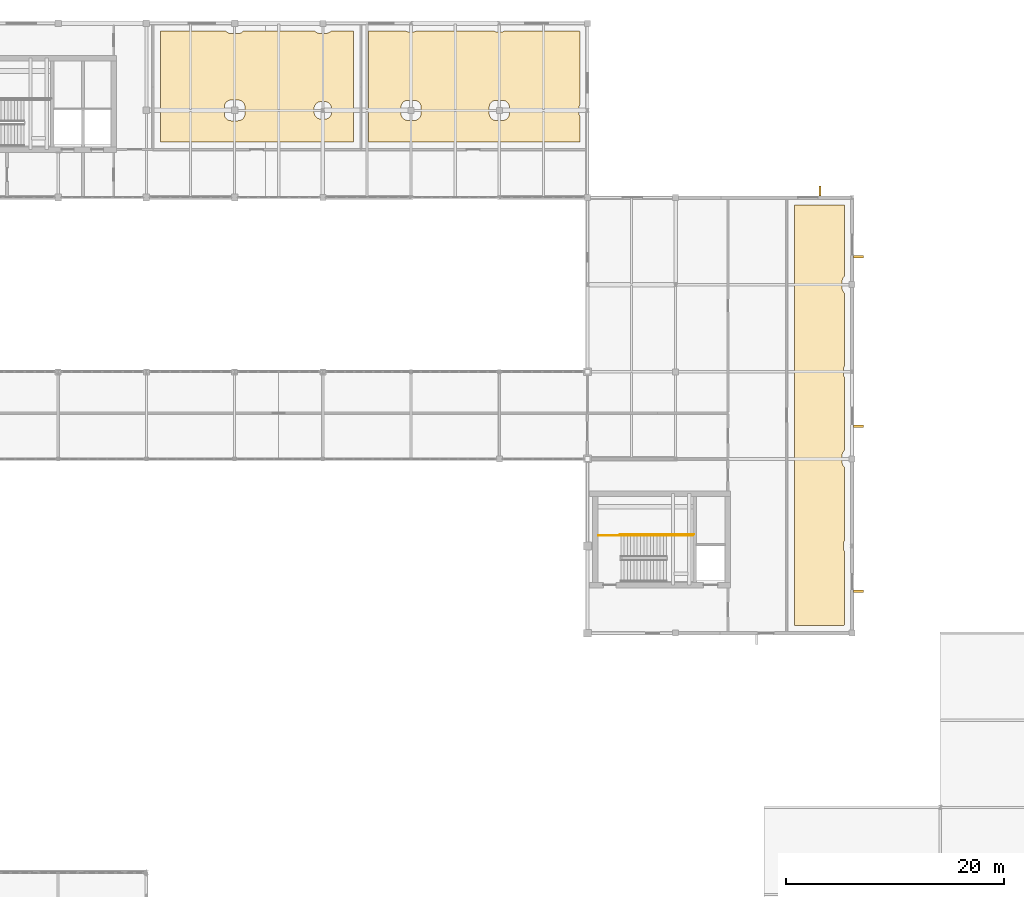
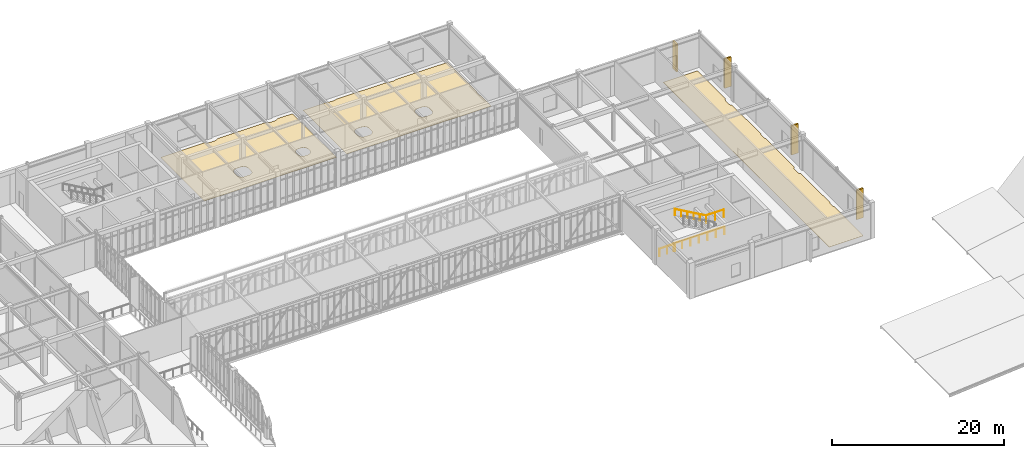
# One storey, part 107 of 107: 4 railings, 4 shading devices, 3 coverings.
"""IFC4 building model written with IfcOpenShell, lengths in metres."""

from ifc_helpers import new_model, si_unit, direction, frame, origin, origin_2d, place, context, subcontext, project, spatial, polyline, rectangle, circle, outline, extrude, material, layer, layer_set, material_profile, profile_set, type_object, element, save


model = new_model("IFC4")

# Units and contexts
model_context = context("Model", 3, precision=1e-05, world=origin(), true_north=direction((0.0, 1.0)))
body_context = subcontext(model_context, "Body", "Model", "MODEL_VIEW")
ifc_project = project(units=[si_unit("LENGTHUNIT", "METRE"), si_unit("AREAUNIT", "SQUARE_METRE"), si_unit("VOLUMEUNIT", "CUBIC_METRE"), si_unit("PLANEANGLEUNIT", "RADIAN"), si_unit("MASSUNIT", "GRAM", prefix="KILO")], contexts=[model_context])

# Site, building, storey
site_placement = place(None, origin())
site = spatial("IfcSite", under=ifc_project, at=site_placement, CompositionType="ELEMENT")
building_placement = place(site_placement, origin())
building = spatial("IfcBuilding", under=site, at=building_placement, Name="Tarnveldt Square Police Headquarters", CompositionType="ELEMENT")
storey_placement = place(building_placement, frame((0.0, 0.0, 14.699951171875)))
storey = spatial("IfcBuildingStorey", under=building, at=storey_placement, Name="L03", CompositionType="ELEMENT", Elevation=14.699951171875)

# Coverings
ifc_material_1 = material(Name="Polished cementitious terrazzo flooring", Category="concrete")
ifc_layer = layer(ifc_material_1, 0.02490234375)
ifc_layer_set = layer_set([ifc_layer], Name="Polished cementitious terrazzo flooring")
covering_type = type_object("IfcCoveringType", Name="COV-FLR-25", PredefinedType="FLOORING", material=ifc_layer_set)
covering_1_placement = place(storey_placement, origin())
element("IfcCovering", 1, at=covering_1_placement, inside=storey, type_object=covering_type, Name="Cybercrime Digital Forensics Laboratory Terrazzo Finish Flooring", PredefinedType="FLOORING", context=body_context, shape_type="SweptSolid", body=[
    extrude(outline(polyline([(128.830078125, 56.699951171875), (124.300048828125, 56.699951171875), (124.300048828125, 95.300048828125), (128.89990234375, 95.300048828125), (128.89990234375, 88.769775390625), (128.86328125, 88.736572265625), (128.820556640625, 88.689453125), (128.782470703125, 88.63818359375), (128.749755859375, 88.58349609375), (128.722412109375, 88.525634765625), (128.700927734375, 88.465576171875), (128.685546875, 88.40380859375), (128.676025390625, 88.3408203125), (128.673095703125, 88.277099609375), (128.673095703125, 87.722900390625), (128.676025390625, 87.6591796875), (128.685546875, 87.59619140625), (128.700927734375, 87.534423828125), (128.722412109375, 87.474365234375), (128.749755859375, 87.41650390625), (128.782470703125, 87.36181640625), (128.820556640625, 87.310546875), (128.86328125, 87.263427734375), (128.89990234375, 87.230224609375), (128.89990234375, 80.5087890625), (128.872314453125, 80.46240234375), (128.844970703125, 80.40478515625), (128.823486328125, 80.3447265625), (128.80810546875, 80.28271484375), (128.798583984375, 80.2197265625), (128.79541015625, 80.156005859375), (128.79541015625, 79.843994140625), (128.798583984375, 79.7802734375), (128.80810546875, 79.71728515625), (128.823486328125, 79.6552734375), (128.844970703125, 79.59521484375), (128.872314453125, 79.53759765625), (128.89990234375, 79.4912109375), (128.89990234375, 72.769775390625), (128.86328125, 72.736572265625), (128.820556640625, 72.689453125), (128.782470703125, 72.63818359375), (128.749755859375, 72.58349609375), (128.722412109375, 72.525634765625), (128.700927734375, 72.465576171875), (128.685546875, 72.40380859375), (128.676025390625, 72.3408203125), (128.673095703125, 72.277099609375), (128.673095703125, 71.722900390625), (128.676025390625, 71.6591796875), (128.685546875, 71.59619140625), (128.700927734375, 71.534423828125), (128.722412109375, 71.474365234375), (128.749755859375, 71.41650390625), (128.782470703125, 71.36181640625), (128.820556640625, 71.310546875), (128.86328125, 71.263427734375), (128.89990234375, 71.230224609375), (128.89990234375, 64.5087890625), (128.872314453125, 64.46240234375), (128.844970703125, 64.40478515625), (128.823486328125, 64.3447265625), (128.80810546875, 64.28271484375), (128.798583984375, 64.2197265625), (128.79541015625, 64.156005859375), (128.79541015625, 63.843994140625), (128.798583984375, 63.7802734375), (128.80810546875, 63.71728515625), (128.823486328125, 63.6552734375), (128.844970703125, 63.59521484375), (128.872314453125, 63.53759765625), (128.89990234375, 63.4912109375), (128.89990234375, 56.769775390625), (128.86328125, 56.736572265625), (128.830078125, 56.699951171875)])), origin(), (0.0, 0.0, 1.0), 0.025146484375),
])
covering_2_placement = place(storey_placement, origin())
element("IfcCovering", 2, at=covering_2_placement, inside=storey, type_object=covering_type, Name="Forensic DNA Extraction Cleanroom Laboratory Terrazzo Finish Flooring", PredefinedType="FLOORING", context=body_context, shape_type="SweptSolid", body=[
    extrude(outline(polyline([(72.0849609375, 111.300048828125), (72.095458984375, 111.28564453125), (72.138427734375, 111.23828125), (72.185546875, 111.195556640625), (72.23681640625, 111.157470703125), (72.29150390625, 111.124755859375), (72.349365234375, 111.097412109375), (72.409423828125, 111.075927734375), (72.47119140625, 111.060546875), (72.5341796875, 111.051025390625), (72.597900390625, 111.048095703125), (73.201904296875, 111.048095703125), (73.265625, 111.051025390625), (73.328857421875, 111.060546875), (73.390625, 111.075927734375), (73.45068359375, 111.097412109375), (73.50830078125, 111.124755859375), (73.563232421875, 111.157470703125), (73.6142578125, 111.195556640625), (73.66162109375, 111.23828125), (73.704345703125, 111.28564453125), (73.715087890625, 111.300048828125), (80.230224609375, 111.300048828125), (80.263427734375, 111.263427734375), (80.310546875, 111.220458984375), (80.36181640625, 111.1826171875), (80.41650390625, 111.149658203125), (80.474365234375, 111.12255859375), (80.534423828125, 111.10107421875), (80.59619140625, 111.08544921875), (80.6591796875, 111.076171875), (80.722900390625, 111.072998046875), (81.277099609375, 111.072998046875), (81.3408203125, 111.076171875), (81.40380859375, 111.08544921875), (81.465576171875, 111.10107421875), (81.525634765625, 111.12255859375), (81.58349609375, 111.149658203125), (81.63818359375, 111.1826171875), (81.689453125, 111.220458984375), (81.736572265625, 111.263427734375), (81.769775390625, 111.300048828125), (83.800048828125, 111.300048828125), (83.800048828125, 101.10009765625), (66.10009765625, 101.10009765625), (66.10009765625, 111.300048828125), (72.0849609375, 111.300048828125)]), holes=[polyline([(80.845458984375, 104.805908203125), (80.78173828125, 104.802978515625), (80.71875, 104.79345703125), (80.65673828125, 104.778076171875), (80.5966796875, 104.756591796875), (80.5390625, 104.729248046875), (80.484375, 104.696533203125), (80.43310546875, 104.658447265625), (80.385986328125, 104.61572265625), (80.343017578125, 104.568359375), (80.304931640625, 104.51708984375), (80.272216796875, 104.46240234375), (80.244873046875, 104.40478515625), (80.223388671875, 104.3447265625), (80.2080078125, 104.28271484375), (80.19873046875, 104.2197265625), (80.195556640625, 104.156005859375), (80.195556640625, 103.843994140625), (80.19873046875, 103.7802734375), (80.2080078125, 103.71728515625), (80.223388671875, 103.6552734375), (80.244873046875, 103.59521484375), (80.272216796875, 103.53759765625), (80.304931640625, 103.48291015625), (80.343017578125, 103.431640625), (80.385986328125, 103.38427734375), (80.43310546875, 103.341552734375), (80.484375, 103.303466796875), (80.5390625, 103.270751953125), (80.5966796875, 103.243408203125), (80.65673828125, 103.221923828125), (80.71875, 103.20654296875), (80.78173828125, 103.197021484375), (80.845458984375, 103.194091796875), (81.154541015625, 103.194091796875), (81.21826171875, 103.197021484375), (81.28125, 103.20654296875), (81.34326171875, 103.221923828125), (81.4033203125, 103.243408203125), (81.4609375, 103.270751953125), (81.515625, 103.303466796875), (81.56689453125, 103.341552734375), (81.614013671875, 103.38427734375), (81.656982421875, 103.431640625), (81.695068359375, 103.48291015625), (81.727783203125, 103.53759765625), (81.755126953125, 103.59521484375), (81.776611328125, 103.6552734375), (81.7919921875, 103.71728515625), (81.80126953125, 103.7802734375), (81.804443359375, 103.843994140625), (81.804443359375, 104.156005859375), (81.80126953125, 104.2197265625), (81.7919921875, 104.28271484375), (81.776611328125, 104.3447265625), (81.755126953125, 104.40478515625), (81.727783203125, 104.46240234375), (81.695068359375, 104.51708984375), (81.656982421875, 104.568359375), (81.614013671875, 104.61572265625), (81.56689453125, 104.658447265625), (81.515625, 104.696533203125), (81.4609375, 104.729248046875), (81.4033203125, 104.756591796875), (81.34326171875, 104.778076171875), (81.28125, 104.79345703125), (81.21826171875, 104.802978515625), (81.154541015625, 104.805908203125), (80.845458984375, 104.805908203125)]), polyline([(72.597900390625, 104.951904296875), (72.5341796875, 104.948974609375), (72.47119140625, 104.939453125), (72.409423828125, 104.924072265625), (72.349365234375, 104.902587890625), (72.29150390625, 104.875244140625), (72.23681640625, 104.842529296875), (72.185546875, 104.804443359375), (72.138427734375, 104.76171875), (72.095458984375, 104.71435546875), (72.0576171875, 104.6630859375), (72.024658203125, 104.6083984375), (71.99755859375, 104.55078125), (71.97607421875, 104.49072265625), (71.96044921875, 104.4287109375), (71.951171875, 104.36572265625), (71.947998046875, 104.302001953125), (71.947998046875, 103.697998046875), (71.951171875, 103.63427734375), (71.96044921875, 103.5712890625), (71.97607421875, 103.50927734375), (71.99755859375, 103.44921875), (72.024658203125, 103.3916015625), (72.0576171875, 103.3369140625), (72.095458984375, 103.28564453125), (72.138427734375, 103.23828125), (72.185546875, 103.195556640625), (72.23681640625, 103.157470703125), (72.29150390625, 103.124755859375), (72.349365234375, 103.097412109375), (72.409423828125, 103.075927734375), (72.47119140625, 103.060546875), (72.5341796875, 103.051025390625), (72.597900390625, 103.048095703125), (73.201904296875, 103.048095703125), (73.265625, 103.051025390625), (73.328857421875, 103.060546875), (73.390625, 103.075927734375), (73.45068359375, 103.097412109375), (73.50830078125, 103.124755859375), (73.563232421875, 103.157470703125), (73.6142578125, 103.195556640625), (73.66162109375, 103.23828125), (73.704345703125, 103.28564453125), (73.742431640625, 103.3369140625), (73.775146484375, 103.3916015625), (73.802490234375, 103.44921875), (73.823974609375, 103.50927734375), (73.839599609375, 103.5712890625), (73.848876953125, 103.63427734375), (73.85205078125, 103.697998046875), (73.85205078125, 104.302001953125), (73.848876953125, 104.36572265625), (73.839599609375, 104.4287109375), (73.823974609375, 104.49072265625), (73.802490234375, 104.55078125), (73.775146484375, 104.6083984375), (73.742431640625, 104.6630859375), (73.704345703125, 104.71435546875), (73.66162109375, 104.76171875), (73.6142578125, 104.804443359375), (73.563232421875, 104.842529296875), (73.50830078125, 104.875244140625), (73.45068359375, 104.902587890625), (73.390625, 104.924072265625), (73.328857421875, 104.939453125), (73.265625, 104.948974609375), (73.201904296875, 104.951904296875), (72.597900390625, 104.951904296875)])]), origin(), (0.0, 0.0, 1.0), 0.025146484375),
])
covering_3_placement = place(storey_placement, origin())
element("IfcCovering", 3, at=covering_3_placement, inside=storey, type_object=covering_type, Name="PCR Amplification Serology Laboratory Terrazzo Finish Flooring", PredefinedType="FLOORING", context=body_context, shape_type="SweptSolid", body=[
    extrude(outline(polyline([(88.59033203125, 111.300048828125), (88.63916015625, 111.270751953125), (88.69677734375, 111.243408203125), (88.7568359375, 111.221923828125), (88.818603515625, 111.20654296875), (88.8818359375, 111.197021484375), (88.945556640625, 111.194091796875), (89.25439453125, 111.194091796875), (89.318115234375, 111.197021484375), (89.38134765625, 111.20654296875), (89.443115234375, 111.221923828125), (89.503173828125, 111.243408203125), (89.560791015625, 111.270751953125), (89.609619140625, 111.300048828125), (96.690185546875, 111.300048828125), (96.739013671875, 111.270751953125), (96.796875, 111.243408203125), (96.85693359375, 111.221923828125), (96.918701171875, 111.20654296875), (96.981689453125, 111.197021484375), (97.04541015625, 111.194091796875), (97.3544921875, 111.194091796875), (97.418212890625, 111.197021484375), (97.481201171875, 111.20654296875), (97.543212890625, 111.221923828125), (97.603271484375, 111.243408203125), (97.660888671875, 111.270751953125), (97.709716796875, 111.300048828125), (104.5302734375, 111.300048828125), (104.5634765625, 111.263427734375), (104.60009765625, 111.230224609375), (104.60009765625, 104.5087890625), (104.572265625, 104.46240234375), (104.544921875, 104.40478515625), (104.5234375, 104.3447265625), (104.508056640625, 104.28271484375), (104.49853515625, 104.2197265625), (104.49560546875, 104.156005859375), (104.49560546875, 103.843994140625), (104.49853515625, 103.7802734375), (104.508056640625, 103.71728515625), (104.5234375, 103.6552734375), (104.544921875, 103.59521484375), (104.572265625, 103.53759765625), (104.60009765625, 103.4912109375), (104.60009765625, 101.10009765625), (85.199951171875, 101.10009765625), (85.199951171875, 111.300048828125), (88.59033203125, 111.300048828125)]), holes=[polyline([(96.923095703125, 104.927001953125), (96.859375, 104.923828125), (96.796142578125, 104.91455078125), (96.734375, 104.89892578125), (96.67431640625, 104.87744140625), (96.61669921875, 104.850341796875), (96.561767578125, 104.8173828125), (96.5107421875, 104.779541015625), (96.46337890625, 104.736572265625), (96.420654296875, 104.689453125), (96.382568359375, 104.63818359375), (96.349853515625, 104.58349609375), (96.322509765625, 104.525634765625), (96.301025390625, 104.465576171875), (96.285400390625, 104.40380859375), (96.276123046875, 104.3408203125), (96.27294921875, 104.277099609375), (96.27294921875, 103.722900390625), (96.276123046875, 103.6591796875), (96.285400390625, 103.59619140625), (96.301025390625, 103.534423828125), (96.322509765625, 103.474365234375), (96.349853515625, 103.41650390625), (96.382568359375, 103.36181640625), (96.420654296875, 103.310546875), (96.46337890625, 103.263427734375), (96.5107421875, 103.220458984375), (96.561767578125, 103.1826171875), (96.61669921875, 103.149658203125), (96.67431640625, 103.12255859375), (96.734375, 103.10107421875), (96.796142578125, 103.08544921875), (96.859375, 103.076171875), (96.923095703125, 103.072998046875), (97.47705078125, 103.072998046875), (97.540771484375, 103.076171875), (97.603759765625, 103.08544921875), (97.665771484375, 103.10107421875), (97.725830078125, 103.12255859375), (97.783447265625, 103.149658203125), (97.838134765625, 103.1826171875), (97.889404296875, 103.220458984375), (97.9365234375, 103.263427734375), (97.9794921875, 103.310546875), (98.017333984375, 103.36181640625), (98.05029296875, 103.41650390625), (98.07763671875, 103.474365234375), (98.09912109375, 103.534423828125), (98.114501953125, 103.59619140625), (98.123779296875, 103.6591796875), (98.126953125, 103.722900390625), (98.126953125, 104.277099609375), (98.123779296875, 104.3408203125), (98.114501953125, 104.40380859375), (98.09912109375, 104.465576171875), (98.07763671875, 104.525634765625), (98.05029296875, 104.58349609375), (98.017333984375, 104.63818359375), (97.9794921875, 104.689453125), (97.9365234375, 104.736572265625), (97.889404296875, 104.779541015625), (97.838134765625, 104.8173828125), (97.783447265625, 104.850341796875), (97.725830078125, 104.87744140625), (97.665771484375, 104.89892578125), (97.603759765625, 104.91455078125), (97.540771484375, 104.923828125), (97.47705078125, 104.927001953125), (96.923095703125, 104.927001953125)]), polyline([(88.822998046875, 104.927001953125), (88.75927734375, 104.923828125), (88.6962890625, 104.91455078125), (88.63427734375, 104.89892578125), (88.57421875, 104.87744140625), (88.5166015625, 104.850341796875), (88.4619140625, 104.8173828125), (88.41064453125, 104.779541015625), (88.36328125, 104.736572265625), (88.320556640625, 104.689453125), (88.282470703125, 104.63818359375), (88.249755859375, 104.58349609375), (88.222412109375, 104.525634765625), (88.200927734375, 104.465576171875), (88.185546875, 104.40380859375), (88.176025390625, 104.3408203125), (88.173095703125, 104.277099609375), (88.173095703125, 103.722900390625), (88.176025390625, 103.6591796875), (88.185546875, 103.59619140625), (88.200927734375, 103.534423828125), (88.222412109375, 103.474365234375), (88.249755859375, 103.41650390625), (88.282470703125, 103.36181640625), (88.320556640625, 103.310546875), (88.36328125, 103.263427734375), (88.41064453125, 103.220458984375), (88.4619140625, 103.1826171875), (88.5166015625, 103.149658203125), (88.57421875, 103.12255859375), (88.63427734375, 103.10107421875), (88.6962890625, 103.08544921875), (88.75927734375, 103.076171875), (88.822998046875, 103.072998046875), (89.376953125, 103.072998046875), (89.440673828125, 103.076171875), (89.50390625, 103.08544921875), (89.565673828125, 103.10107421875), (89.625732421875, 103.12255859375), (89.683349609375, 103.149658203125), (89.738037109375, 103.1826171875), (89.789306640625, 103.220458984375), (89.836669921875, 103.263427734375), (89.87939453125, 103.310546875), (89.91748046875, 103.36181640625), (89.9501953125, 103.41650390625), (89.9775390625, 103.474365234375), (89.9990234375, 103.534423828125), (90.014404296875, 103.59619140625), (90.02392578125, 103.6591796875), (90.027099609375, 103.722900390625), (90.027099609375, 104.277099609375), (90.02392578125, 104.3408203125), (90.014404296875, 104.40380859375), (89.9990234375, 104.465576171875), (89.9775390625, 104.525634765625), (89.9501953125, 104.58349609375), (89.91748046875, 104.63818359375), (89.87939453125, 104.689453125), (89.836669921875, 104.736572265625), (89.789306640625, 104.779541015625), (89.738037109375, 104.8173828125), (89.683349609375, 104.850341796875), (89.625732421875, 104.87744140625), (89.565673828125, 104.89892578125), (89.50390625, 104.91455078125), (89.440673828125, 104.923828125), (89.376953125, 104.927001953125), (88.822998046875, 104.927001953125)])]), origin(), (0.0, 0.0, 1.0), 0.025146484375),
])

# Railings
ifc_material_2 = material(Name="Steel 350W", Category="steel")
railing_type_1 = type_object("IfcRailingType", Name="RL-GR-1100", PredefinedType="GUARDRAIL", material=ifc_material_2)
railing_1_placement = place(storey_placement, frame((112.570068359375, 64.969970703125, 2.550048828125)))
element("IfcRailing", 4, at=railing_1_placement, inside=storey, type_object=railing_type_1, Name="L03 ST4 stair guard 3", PredefinedType="GUARDRAIL", context=body_context, shape_type="SweptSolid", body=[
    extrude(circle(Radius=0.02392578125, at=origin_2d()), frame((0.0, 0.0, 1.076171875), z_axis=(1.0, 0.0, 0.0), x_axis=(0.0, 1.0, 0.0)), (0.0, 0.0, 1.0), 2.39990234375),
    extrude(circle(Radius=0.02099609375, at=origin_2d()), origin(), (0.0, 0.0, 1.0), 1.052001953125),
    extrude(circle(Radius=0.02099609375, at=origin_2d()), frame((1.199951171875, 0.0, 0.0)), (0.0, 0.0, 1.0), 1.052001953125),
    extrude(circle(Radius=0.02099609375, at=origin_2d()), frame((2.39990234375, 0.0, 0.0)), (0.0, 0.0, 1.0), 1.052001953125),
])
railing_2_placement = place(storey_placement, frame((106.320068359375, 64.969970703125, 0.0)))
element("IfcRailing", 5, at=railing_2_placement, inside=storey, type_object=railing_type_1, Name="L03 ST4 stair guard 6", PredefinedType="GUARDRAIL", context=body_context, shape_type="SweptSolid", body=[
    extrude(circle(Radius=0.02392578125, at=origin_2d()), frame((0.0, 0.0, 1.076171875), z_axis=(1.0, 0.0, 0.0), x_axis=(0.0, 1.0, 0.0)), (0.0, 0.0, 1.0), 2.050048828125),
    extrude(circle(Radius=0.02099609375, at=origin_2d()), origin(), (0.0, 0.0, 1.0), 1.052001953125),
    extrude(circle(Radius=0.02099609375, at=origin_2d()), frame((1.02490234375, 0.0, 0.0)), (0.0, 0.0, 1.0), 1.052001953125),
    extrude(circle(Radius=0.02099609375, at=origin_2d()), frame((2.050048828125, 0.0, 0.0)), (0.0, 0.0, 1.0), 1.052001953125),
])
railing_3_placement = place(storey_placement, frame((108.27001953125, 65.070068359375, 0.0)))
element("IfcRailing", 6, at=railing_3_placement, inside=storey, type_object=railing_type_1, Name="L03 ST4 stair guard 7", PredefinedType="GUARDRAIL", context=body_context, shape_type="SweptSolid", body=[
    extrude(circle(Radius=0.02392578125, at=origin_2d()), frame((0.0, 0.0, 1.076171875), z_axis=(1.0, 0.0, 0.0), x_axis=(0.0, 1.0, 0.0)), (0.0, 0.0, 1.0), 6.800048828125),
    extrude(circle(Radius=0.02099609375, at=origin_2d()), origin(), (0.0, 0.0, 1.0), 1.052001953125),
    extrude(circle(Radius=0.02099609375, at=origin_2d()), frame((1.13330078125, 0.0, 0.0)), (0.0, 0.0, 1.0), 1.052001953125),
    extrude(circle(Radius=0.02099609375, at=origin_2d()), frame((2.2666015625, 0.0, 0.0)), (0.0, 0.0, 1.0), 1.052001953125),
    extrude(circle(Radius=0.02099609375, at=origin_2d()), frame((3.39990234375, 0.0, 0.0)), (0.0, 0.0, 1.0), 1.052001953125),
    extrude(circle(Radius=0.02099609375, at=origin_2d()), frame((4.533447265625, 0.0, 0.0)), (0.0, 0.0, 1.0), 1.052001953125),
    extrude(circle(Radius=0.02099609375, at=origin_2d()), frame((5.666748046875, 0.0, 0.0)), (0.0, 0.0, 1.0), 1.052001953125),
    extrude(circle(Radius=0.02099609375, at=origin_2d()), frame((6.800048828125, 0.0, 0.0)), (0.0, 0.0, 1.0), 1.052001953125),
])
railing_type_2 = type_object("IfcRailingType", Name="RL-HR-900", PredefinedType="HANDRAIL", material=ifc_material_2)
railing_4_placement = place(storey_placement, frame((112.570068359375, 64.969970703125, 2.719970703125)))
element("IfcRailing", 7, at=railing_4_placement, inside=storey, type_object=railing_type_2, Name="L03 ST4 stair handrail 2", PredefinedType="HANDRAIL", context=body_context, shape_type="SweptSolid", body=[
    extrude(circle(Radius=0.02392578125, at=origin_2d()), frame((0.0, 0.0, 0.8759765625), z_axis=(-0.870008446991, 0.0, 0.493036816236), x_axis=(0.0, -1.0, 0.0)), (0.0, 0.0, 1.0), 4.827392578125),
    extrude(circle(Radius=0.02099609375, at=origin_2d()), origin(), (0.0, 0.0, 1.0), 0.851806640625),
    extrude(circle(Radius=0.02099609375, at=origin_2d()), frame((-0.840087890625, 0.0, 0.47607421875)), (0.0, 0.0, 1.0), 0.851806640625),
    extrude(circle(Radius=0.02099609375, at=origin_2d()), frame((-1.679931640625, 0.0, 0.9521484375)), (0.0, 0.0, 1.0), 0.851806640625),
    extrude(circle(Radius=0.02099609375, at=origin_2d()), frame((-2.52001953125, 0.0, 1.427978515625)), (0.0, 0.0, 1.0), 0.851806640625),
    extrude(circle(Radius=0.02099609375, at=origin_2d()), frame((-3.35986328125, 0.0, 1.904052734375)), (0.0, 0.0, 1.0), 0.851806640625),
    extrude(circle(Radius=0.02099609375, at=origin_2d()), frame((-4.199951171875, 0.0, 2.380126953125)), (0.0, 0.0, 1.0), 0.851806640625),
])

# Shading devices
ifc_material_3 = material(Name="Precast concrete 35 MPa", Category="concrete")
ifc_material_profile = material_profile(ifc_material_3, rectangle(XDim=0.219970703125, YDim=0.89990234375, at=origin_2d()), Name="PC-FIN220x900")
ifc_profile_set = profile_set([ifc_material_profile], Name="Precast concrete 35 MPa")
shading_device_type = type_object("IfcShadingDeviceType", Name="SHD-FIN-900", PredefinedType="USERDEFINED", material=ifc_profile_set)
shading_device_1_placement = place(storey_placement, frame((130.18994140625, 59.85009765625, 0.150146484375), z_axis=(0.0, 0.0, 1.0), x_axis=(0.0, 1.0, 0.0)))
element("IfcShadingDevice", 8, at=shading_device_1_placement, inside=storey, type_object=shading_device_type, Name="L03 Precast Deep-Reveal Brutalist Fin 038", ObjectType="SOLAR SHADING FIN", PredefinedType="USERDEFINED", context=body_context, shape_type="SweptSolid", body=[
    extrude(rectangle(XDim=0.219970703125, YDim=0.89990234375, at=origin_2d()), origin(), (0.0, 0.0, 1.0), 4.1689453125),
])
shading_device_2_placement = place(storey_placement, frame((130.18994140625, 74.9833984375, 0.150146484375), z_axis=(0.0, 0.0, 1.0), x_axis=(0.0, 1.0, 0.0)))
element("IfcShadingDevice", 9, at=shading_device_2_placement, inside=storey, type_object=shading_device_type, Name="L03 Precast Deep-Reveal Brutalist Fin 039", ObjectType="SOLAR SHADING FIN", PredefinedType="USERDEFINED", context=body_context, shape_type="SweptSolid", body=[
    extrude(rectangle(XDim=0.219970703125, YDim=0.89990234375, at=origin_2d()), origin(), (0.0, 0.0, 1.0), 4.1318359375),
])
shading_device_3_placement = place(storey_placement, frame((130.18994140625, 90.566650390625, 0.150146484375), z_axis=(0.0, 0.0, 1.0), x_axis=(0.0, 1.0, 0.0)))
element("IfcShadingDevice", 10, at=shading_device_3_placement, inside=storey, type_object=shading_device_type, Name="L03 Precast Deep-Reveal Brutalist Fin 040", ObjectType="SOLAR SHADING FIN", PredefinedType="USERDEFINED", context=body_context, shape_type="SweptSolid", body=[
    extrude(rectangle(XDim=0.219970703125, YDim=0.89990234375, at=origin_2d()), origin(), (0.0, 0.0, 1.0), 4.1689453125),
])
shading_device_4_placement = place(storey_placement, frame((126.64990234375, 96.590087890625, 0.150146484375), z_axis=(0.0, 0.0, 1.0), x_axis=(-1.0, 0.0, 0.0)))
element("IfcShadingDevice", 11, at=shading_device_4_placement, inside=storey, type_object=shading_device_type, Name="L03 Precast Deep-Reveal Brutalist Fin 041", ObjectType="SOLAR SHADING FIN", PredefinedType="USERDEFINED", context=body_context, shape_type="SweptSolid", body=[
    extrude(rectangle(XDim=0.219970703125, YDim=0.89990234375, at=origin_2d()), origin(), (0.0, 0.0, 1.0), 3.94384765625),
])

save(model, "model.ifc")
